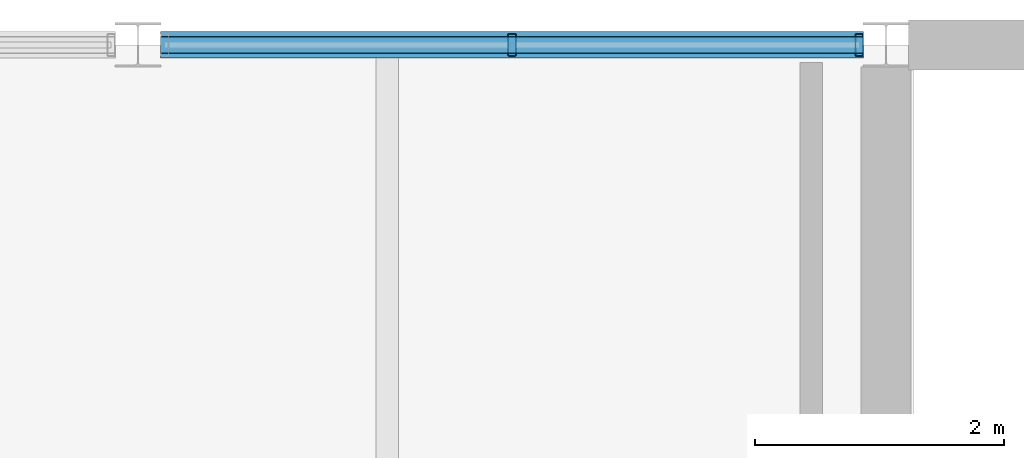
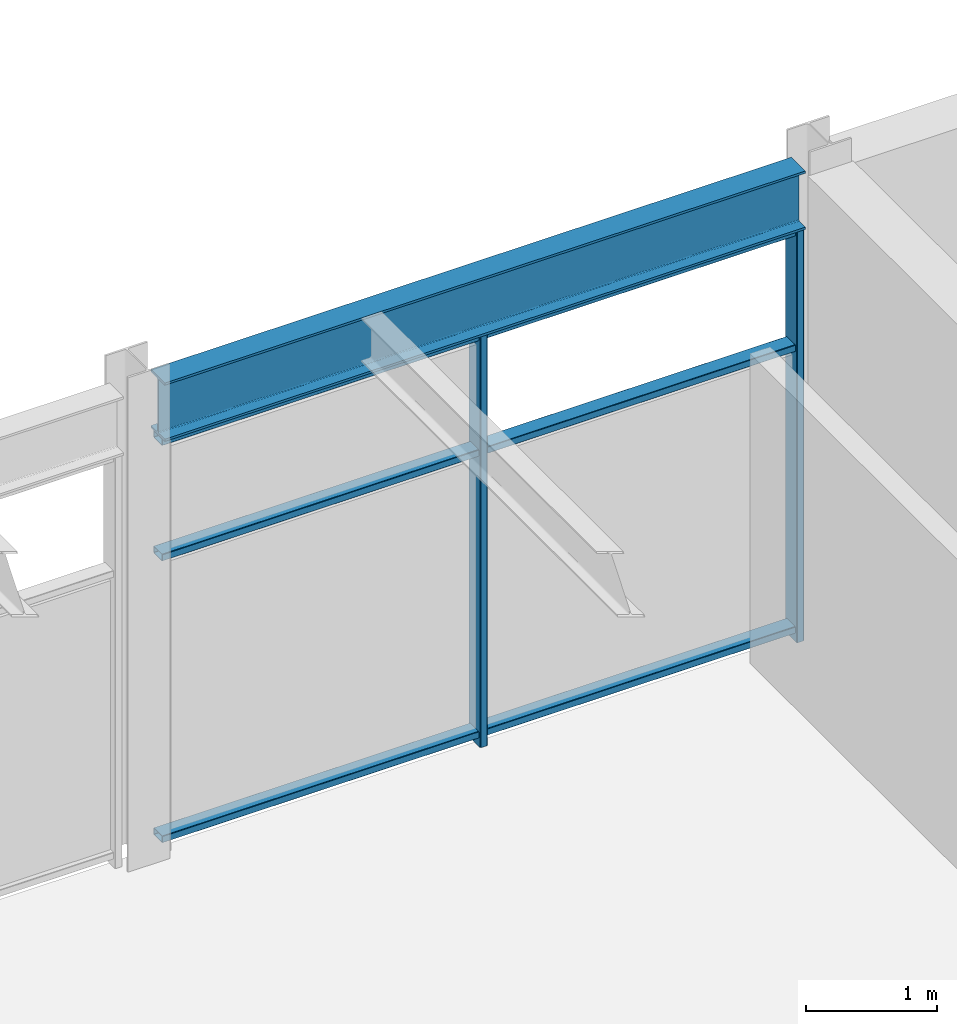
# One storey, part 23 of 28: 5 members, 1 beam, 1 element without a shape of its own.
"""IFC4 building model written with IfcOpenShell, lengths in metres."""

from ifc_helpers import new_model, si_unit, direction, frame, origin, origin_2d, place, context, subcontext, project, spatial, hollow_rectangle, i_section, extrude, material, material_profile, profile_set, type_object, element, aggregate, save


model = new_model("IFC4")

# Units and contexts
model_context = context("Model", 3, precision=1e-05, world=origin(), true_north=direction((0.0, 1.0)))
body_context = subcontext(model_context, "Body", "Model", "MODEL_VIEW")
ifc_project = project(units=[si_unit("LENGTHUNIT", "METRE"), si_unit("AREAUNIT", "SQUARE_METRE"), si_unit("VOLUMEUNIT", "CUBIC_METRE"), si_unit("PLANEANGLEUNIT", "RADIAN"), si_unit("MASSUNIT", "GRAM", prefix="KILO")], contexts=[model_context])

# Site, building, storey
site_placement = place(None, origin())
site = spatial("IfcSite", under=ifc_project, at=site_placement, CompositionType="ELEMENT")
building_placement = place(site_placement, origin())
building = spatial("IfcBuilding", under=site, at=building_placement, Name="Girod Span Mobility Hub", CompositionType="ELEMENT")
storey_placement = place(building_placement, frame((0.0, 0.0, 69.60009765625)))
storey = spatial("IfcBuildingStorey", under=building, at=storey_placement, Name="L17", CompositionType="ELEMENT", Elevation=69.60009765625)

# Beam
ifc_material_1 = material(Name="Steel A992 Grade 50", Category="steel")
ifc_material_profile_1 = material_profile(ifc_material_1, i_section(OverallWidth=0.2119140625, OverallDepth=0.5439453125, WebThickness=0.01318359375, FlangeThickness=0.021240234375, FilletRadius=0.014892578125, at=origin_2d()), Name="W21X83")
ifc_profile_set_1 = profile_set([ifc_material_profile_1], Name="Steel A992 Grade 50")
beam_type = type_object("IfcBeamType", Name="BM-STL-W21X83", PredefinedType="SPANDREL", material=ifc_profile_set_1)
beam_placement = place(storey_placement, frame((102.181396484375, 69.0, 4.10791015625), z_axis=(1.0, 0.0, 0.0), x_axis=(0.0, 1.0, 0.0)))
element("IfcBeam", 1, at=beam_placement, inside=storey, type_object=beam_type, Name="Spandrel Beam 9-10/F-E L17", PredefinedType="SPANDREL", context=body_context, shape_type="SweptSolid", body=[
    extrude(i_section(OverallWidth=0.2119140625, OverallDepth=0.5439453125, WebThickness=0.01318359375, FlangeThickness=0.021240234375, FilletRadius=0.014892578125, at=origin_2d()), origin(), (0.0, 0.0, 1.0), 5.63720703125),
])

# Curtain wall, members
ifc_material_2 = material(Name="Thermally Broken Anodised Aluminium", Category="aluminium")
curtain_wall_type = type_object("IfcCurtainWallType", Name="CW-564X384", PredefinedType="USERDEFINED", material=ifc_material_2)
curtain_wall_placement = place(storey_placement, origin())
curtain_wall = element("IfcCurtainWall", 2, at=curtain_wall_placement, inside=storey, type_object=curtain_wall_type, Name="Unitised Curtain Wall CW-L17-N09E L17", ObjectType="UNITISED CURTAIN WALL", PredefinedType="USERDEFINED")
ifc_material_3 = material(Name="Thermally Broken Anodised Aluminium", Category="aluminium")
ifc_material_profile_2 = material_profile(ifc_material_3, hollow_rectangle(XDim=0.179931640625, YDim=0.06494140625, WallThickness=0.00390625, InnerFilletRadius=0.00390625, OuterFilletRadius=0.008056640625, at=origin_2d()), Name="CW-ML-65X180")
ifc_profile_set_2 = profile_set([ifc_material_profile_2], Name="Thermally Broken Anodised Aluminium")
member_type_1 = type_object("IfcMemberType", Name="CWM-ML-2", PredefinedType="MULLION", material=ifc_profile_set_2)
member_1_placement = place(storey_placement, frame((105.0, 69.0, 0.0), z_axis=(0.0, 0.0, 1.0), x_axis=(0.0, 1.0, 0.0)))
member_1 = element("IfcMember", 3, at=member_1_placement, type_object=member_type_1, Name="Curtain Wall Mullion CW-L17-N09E-M1", PredefinedType="MULLION", context=body_context, shape_type="SweptSolid", body=[
    extrude(hollow_rectangle(XDim=0.179931640625, YDim=0.06494140625, WallThickness=0.00390625, InnerFilletRadius=0.00390625, OuterFilletRadius=0.008056640625, at=origin_2d()), origin(), (0.0, 0.0, 1.0), 3.8359375),
])
member_2_placement = place(storey_placement, frame((107.785400390625, 69.0, 0.0), z_axis=(0.0, 0.0, 1.0), x_axis=(0.0, 1.0, 0.0)))
member_2 = element("IfcMember", 4, at=member_2_placement, type_object=member_type_1, Name="Curtain Wall Mullion CW-L17-N09E-M2", PredefinedType="MULLION", context=body_context, shape_type="SweptSolid", body=[
    extrude(hollow_rectangle(XDim=0.179931640625, YDim=0.06494140625, WallThickness=0.00390625, InnerFilletRadius=0.00390625, OuterFilletRadius=0.008056640625, at=origin_2d()), origin(), (0.0, 0.0, 1.0), 3.8359375),
])
ifc_material_4 = material(Name="Thermally Broken Anodised Aluminium", Category="aluminium")
ifc_material_profile_3 = material_profile(ifc_material_4, hollow_rectangle(XDim=0.135009765625, YDim=0.06494140625, WallThickness=0.00390625, InnerFilletRadius=0.00390625, OuterFilletRadius=0.008056640625, at=origin_2d()), Name="CW-TR-65X135")
ifc_profile_set_3 = profile_set([ifc_material_profile_3], Name="Thermally Broken Anodised Aluminium")
member_type_2 = type_object("IfcMemberType", Name="CWM-TR-2", PredefinedType="USERDEFINED", material=ifc_profile_set_3)
member_3_placement = place(storey_placement, frame((102.1826171875, 69.0, 0.107421875), z_axis=(1.0, 0.0, 0.0), x_axis=(0.0, 1.0, 0.0)))
member_3 = element("IfcMember", 5, at=member_3_placement, type_object=member_type_2, Name="Curtain Wall Transom CW-L17-N09E-T1", ObjectType="TRANSOM", PredefinedType="USERDEFINED", context=body_context, shape_type="SweptSolid", body=[
    extrude(hollow_rectangle(XDim=0.135009765625, YDim=0.06494140625, WallThickness=0.00390625, InnerFilletRadius=0.00390625, OuterFilletRadius=0.008056640625, at=origin_2d()), origin(), (0.0, 0.0, 1.0), 5.634765625),
])
member_4_placement = place(storey_placement, frame((102.1826171875, 69.0, 2.729248046875), z_axis=(1.0, 0.0, 0.0), x_axis=(0.0, 1.0, 0.0)))
member_4 = element("IfcMember", 6, at=member_4_placement, type_object=member_type_2, Name="Curtain Wall Transom CW-L17-N09E-T2", ObjectType="TRANSOM", PredefinedType="USERDEFINED", context=body_context, shape_type="SweptSolid", body=[
    extrude(hollow_rectangle(XDim=0.135009765625, YDim=0.06494140625, WallThickness=0.00390625, InnerFilletRadius=0.00390625, OuterFilletRadius=0.008056640625, at=origin_2d()), origin(), (0.0, 0.0, 1.0), 5.634765625),
])
member_5_placement = place(storey_placement, frame((102.1826171875, 69.0, 3.803466796875), z_axis=(1.0, 0.0, 0.0), x_axis=(0.0, 1.0, 0.0)))
member_5 = element("IfcMember", 7, at=member_5_placement, type_object=member_type_2, Name="Curtain Wall Transom CW-L17-N09E-T3", ObjectType="TRANSOM", PredefinedType="USERDEFINED", context=body_context, shape_type="SweptSolid", body=[
    extrude(hollow_rectangle(XDim=0.135009765625, YDim=0.06494140625, WallThickness=0.00390625, InnerFilletRadius=0.00390625, OuterFilletRadius=0.008056640625, at=origin_2d()), origin(), (0.0, 0.0, 1.0), 5.634765625),
])
aggregate(curtain_wall, [member_1, member_2, member_3, member_4, member_5])

save(model, "model.ifc")
